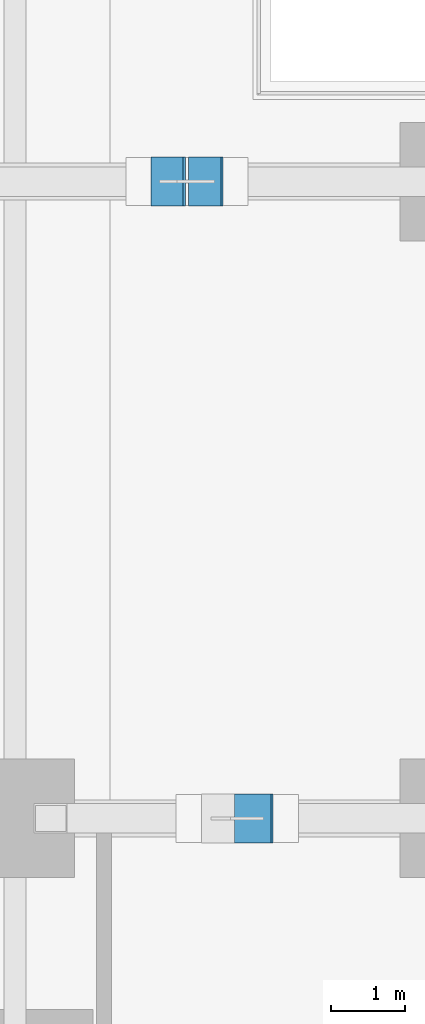
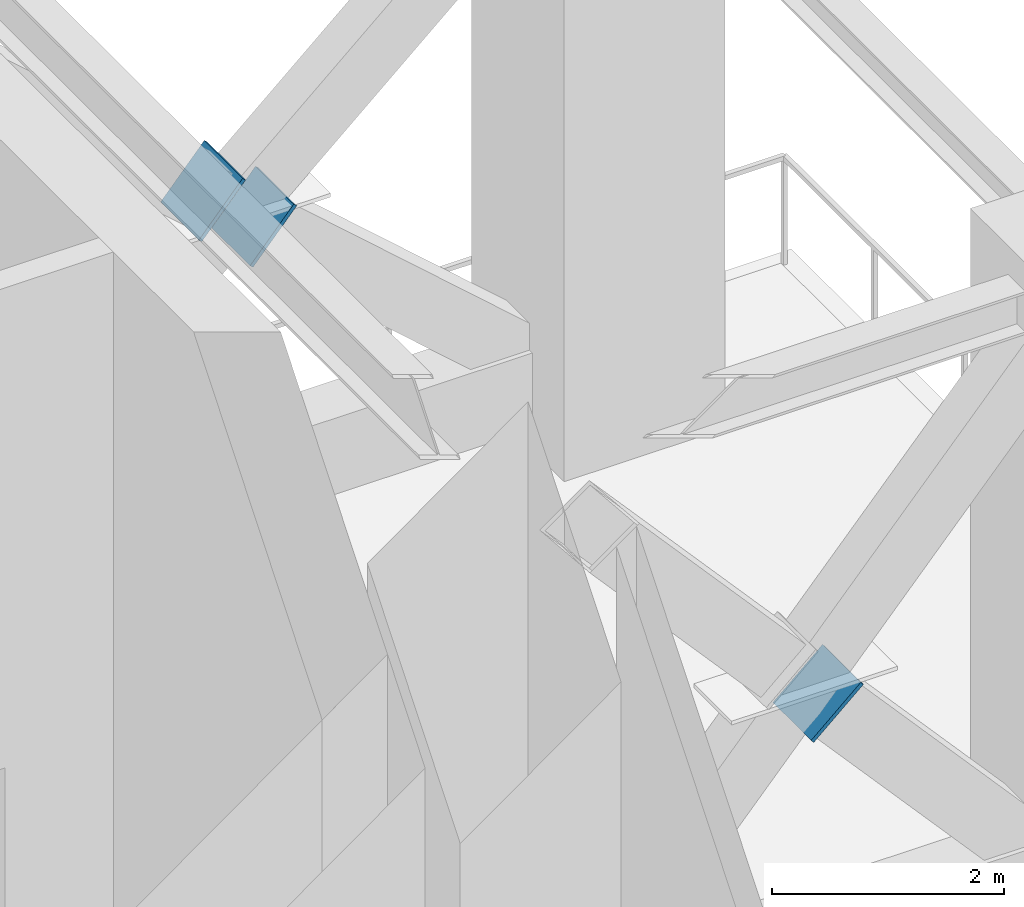
# One storey, part 5 of 9: 3 discrete accessories.
"""IFC4 building model written with IfcOpenShell, lengths in metres."""

import ifcopenshell
import ifcopenshell.guid

model = None  # the IFC model being written
_history = None  # IfcOwnerHistory: only IFC2X3 demands one
_inside = {}  # id of a spatial element -> (the spatial element, [elements in it])
_under = {}  # id of a project, library or spatial element -> (it, [spatial elements below it])
_declared = {}  # id of a project -> (the project, [libraries it declares])
_typed = {}  # id of a type object -> (the type object, [elements of that type])
_made_of = {}  # id of a material, layer set ... -> (it, [elements and type objects made of it])


def new_model(schema):
    """Start an empty IFC model of exactly this schema.

    Asked for "IFC4X3", IfcOpenShell would pick the latest addendum, in which some entities
    have other attributes; the version numbers below select the first issue.
    IFC2X3 requires an IfcOwnerHistory on every rooted entity: one is made here for all.
    """
    global model, _history
    if schema == "IFC4X3":
        model = ifcopenshell.file(schema_version=(4, 3, 0, 0))
    else:
        model = ifcopenshell.file(schema=schema)
    _inside.clear()
    _under.clear()
    _declared.clear()
    _typed.clear()
    _made_of.clear()
    _history = None
    if model.schema == "IFC2X3":
        org = make("IfcOrganization", Name="unknown")
        user = make(
            "IfcPersonAndOrganization",
            ThePerson=make("IfcPerson", FamilyName="unknown"),
            TheOrganization=org,
        )
        app = make(
            "IfcApplication",
            ApplicationDeveloper=org,
            Version="unknown",
            ApplicationFullName="unknown",
            ApplicationIdentifier="unknown",
        )
        _history = make(
            "IfcOwnerHistory",
            OwningUser=user,
            OwningApplication=app,
            ChangeAction="ADDED",
            CreationDate=0,
        )
    return model


def make(cls, **values):
    """One entity of the class cls with the attributes given. An attribute that is None is left unset."""
    return model.create_entity(
        cls, **{name: value for name, value in values.items() if value is not None}
    )


def rooted(cls, **values):
    """An entity with a GlobalId (a new one), such as an element, a storey or a relation."""
    return make(cls, GlobalId=ifcopenshell.guid.new(), OwnerHistory=_history, **values)


def si_unit(unit_type, name, prefix=None):
    """IfcSIUnit, for example si_unit("LENGTHUNIT", "METRE", prefix="MILLI")."""
    return make("IfcSIUnit", UnitType=unit_type, Prefix=prefix, Name=name)


def assignment(units):
    """IfcUnitAssignment: the units of a project."""
    return None if units is None else make("IfcUnitAssignment", Units=units)


def point(xyz):
    """IfcCartesianPoint."""
    return None if xyz is None else make("IfcCartesianPoint", Coordinates=xyz)


def direction(xyz):
    """IfcDirection."""
    return None if xyz is None else make("IfcDirection", DirectionRatios=xyz)


def frame(location, z_axis=None, x_axis=None):
    """IfcAxis2Placement3D, a coordinate frame: its origin and axes. An axis left out is left unset."""
    return make(
        "IfcAxis2Placement3D",
        Location=point(location),
        Axis=direction(z_axis),
        RefDirection=direction(x_axis),
    )


def frame_2d(location, x_axis=None):
    """IfcAxis2Placement2D, a coordinate frame in the plane: its origin and x axis."""
    return make(
        "IfcAxis2Placement2D", Location=point(location), RefDirection=direction(x_axis)
    )


def origin():
    """The frame at (0, 0, 0) with its axes left unset."""
    return frame((0.0, 0.0, 0.0))


def origin_2d():
    """The frame at (0, 0) in the plane with its x axis left unset."""
    return frame_2d((0.0, 0.0))


def place(relative_to, where):
    """IfcLocalPlacement: puts the frame where relative to a parent placement (None: the world)."""
    return make(
        "IfcLocalPlacement", PlacementRelTo=relative_to, RelativePlacement=where
    )


def context(
    kind, dimensions, precision=None, world=None, true_north=None, identifier=None
):
    """IfcGeometricRepresentationContext, for example the 3D "Model" context."""
    return make(
        "IfcGeometricRepresentationContext",
        ContextIdentifier=identifier,
        ContextType=kind,
        CoordinateSpaceDimension=dimensions,
        Precision=precision,
        WorldCoordinateSystem=world,
        TrueNorth=true_north,
    )


def subcontext(parent, identifier, kind, view, scale=None):
    """IfcGeometricRepresentationSubContext, for example "Body" below "Model"."""
    return make(
        "IfcGeometricRepresentationSubContext",
        ContextIdentifier=identifier,
        ContextType=kind,
        ParentContext=parent,
        TargetScale=scale,
        TargetView=view,
    )


def project(units=None, contexts=None):
    """IfcProject with its units and contexts."""
    return rooted(
        "IfcProject",
        Name="project",
        RepresentationContexts=contexts,
        UnitsInContext=assignment(units),
    )


def spatial(cls, under=None, at=None, **own):
    """A site, building, storey or space (cls), placed at a placement, below another one or the project."""
    s = rooted(cls, ObjectPlacement=at, **own)
    if under is not None:
        _under.setdefault(under.id(), (under, []))[1].append(s)
    return s


def profile(cls, at=None, kind="AREA", **sizes):
    """A parametric profile (cls). Its sizes go by their IFC names, for example OverallWidth=200.0."""
    return make(cls, ProfileType=kind, Position=at, **sizes)


def rectangle(**sizes):
    """IfcRectangleProfileDef."""
    return profile("IfcRectangleProfileDef", **sizes)


def extrude(swept, where, along, depth):
    """IfcExtrudedAreaSolid: the profile swept, set in the frame where, extruded along a direction by depth."""
    return make(
        "IfcExtrudedAreaSolid",
        SweptArea=swept,
        Position=where,
        ExtrudedDirection=direction(along),
        Depth=depth,
    )


def shape(context_of_items, identifier, shape_type, items):
    """IfcShapeRepresentation: the items that make up one representation, for example the "Body"."""
    return make(
        "IfcShapeRepresentation",
        ContextOfItems=context_of_items,
        RepresentationIdentifier=identifier,
        RepresentationType=shape_type,
        Items=items,
    )


def source(mapping_origin, context_of_items, identifier, shape_type, items):
    """IfcRepresentationMap: a shape defined once, which mapped items show again and again."""
    return make(
        "IfcRepresentationMap",
        MappingOrigin=mapping_origin,
        MappedRepresentation=shape(context_of_items, identifier, shape_type, items),
    )


def transform(
    local_origin,
    x_axis=None,
    y_axis=None,
    z_axis=None,
    scale=None,
    scale2=None,
    scale3=None,
    uniform=True,
):
    """IfcCartesianTransformationOperator3D, or its non-uniform kind. x_axis, y_axis, z_axis: its Axis1, 2, 3."""
    if uniform:
        return make(
            "IfcCartesianTransformationOperator3D",
            Axis1=direction(x_axis),
            Axis2=direction(y_axis),
            LocalOrigin=point(local_origin),
            Scale=scale,
            Axis3=direction(z_axis),
        )
    return make(
        "IfcCartesianTransformationOperator3DnonUniform",
        Axis1=direction(x_axis),
        Axis2=direction(y_axis),
        LocalOrigin=point(local_origin),
        Scale=scale,
        Axis3=direction(z_axis),
        Scale2=scale2,
        Scale3=scale3,
    )


def mapped(mapping_source, mapping_target):
    """IfcMappedItem: shows the shape of a source again, moved by a transform."""
    return make(
        "IfcMappedItem", MappingSource=mapping_source, MappingTarget=mapping_target
    )


def material(Name=None, Category=None):
    """IfcMaterial."""
    return make("IfcMaterial", Name=Name, Category=Category)


def layer(
    of_material, thickness, ventilated=None, Name=None, Category=None, Priority=None
):
    """IfcMaterialLayer: one layer of a wall or slab, of a material (None: an air gap)."""
    return make(
        "IfcMaterialLayer",
        Material=of_material,
        LayerThickness=thickness,
        IsVentilated=ventilated,
        Name=Name,
        Category=Category,
        Priority=Priority,
    )


def layer_set(layers, Name=None):
    """IfcMaterialLayerSet."""
    return make("IfcMaterialLayerSet", MaterialLayers=layers, LayerSetName=Name)


def made_of(thing, what):
    """Note that an element or type object is made of a material, layer set ...; save() writes the relation."""
    if what is not None:
        _made_of.setdefault(what.id(), (what, []))[1].append(thing)
    return thing


def type_object(cls, material=None, **own):
    """A type object (cls), such as IfcWallType, which elements share."""
    return made_of(rooted(cls, **own), material)


def element(
    cls,
    number,
    at=None,
    inside=None,
    cuts=None,
    type_object=None,
    material=None,
    context=None,
    identifier="Body",
    shape_type=None,
    held_by="IfcProductDefinitionShape",
    body=None,
    shapes=None,
    **own,
):
    """One element of the class cls, such as IfcWall. Its Tag is "e" and its number.

    at: its placement. inside: the storey or other place that contains it. cuts: it is an
    opening in that element (IfcRelVoidsElement). A single representation is given by context,
    identifier, shape_type and body (its items); several are given by shapes. held_by: the class
    of the entity that holds the representations. save() writes the other relations.
    """
    e = rooted(cls, Tag="e%d" % number, ObjectPlacement=at, **own)
    if body is not None:
        shapes = [shape(context, identifier, shape_type, body)]
    if shapes is not None:
        e.Representation = make(held_by, Representations=shapes)
    if inside is not None:
        _inside.setdefault(inside.id(), (inside, []))[1].append(e)
    if cuts is not None:
        rooted(
            "IfcRelVoidsElement", RelatingBuildingElement=cuts, RelatedOpeningElement=e
        )
    if type_object is not None:
        _typed.setdefault(type_object.id(), (type_object, []))[1].append(e)
    return made_of(e, material)


def aggregate(whole, parts):
    """IfcRelAggregates: a whole, such as a stair, and the parts it consists of."""
    return rooted("IfcRelAggregates", RelatingObject=whole, RelatedObjects=parts)


def save(model, path):
    """Write the relations noted so far, then the file.

    IfcRelAggregates (storeys below a building ...), IfcRelContainedInSpatialStructure (elements
    in a storey), IfcRelDefinesByType, IfcRelAssociatesMaterial and IfcRelDeclares: one each for
    every whole, place, type object, material and project.
    """
    for whole, parts in _under.values():
        aggregate(whole, parts)
    for where, things in _inside.values():
        rooted(
            "IfcRelContainedInSpatialStructure",
            RelatedElements=things,
            RelatingStructure=where,
        )
    for kind, things in _typed.values():
        rooted("IfcRelDefinesByType", RelatedObjects=things, RelatingType=kind)
    for what, things in _made_of.values():
        rooted("IfcRelAssociatesMaterial", RelatedObjects=things, RelatingMaterial=what)
    for by, libraries in _declared.values():
        rooted("IfcRelDeclares", RelatingContext=by, RelatedDefinitions=libraries)
    model.write(path)


model = new_model("IFC4")

# Units and contexts
model_context = context("Model", 3, precision=1e-05, world=origin(), true_north=direction((0.0, 1.0)))
body_context = subcontext(model_context, "Body", "Model", "MODEL_VIEW")
ifc_project = project(units=[si_unit("LENGTHUNIT", "METRE"), si_unit("AREAUNIT", "SQUARE_METRE"), si_unit("VOLUMEUNIT", "CUBIC_METRE"), si_unit("PLANEANGLEUNIT", "RADIAN"), si_unit("MASSUNIT", "GRAM", prefix="KILO")], contexts=[model_context])

# Site, building, storey
site_placement = place(None, origin())
site = spatial("IfcSite", under=ifc_project, at=site_placement, CompositionType="ELEMENT")
building_placement = place(site_placement, origin())
building = spatial("IfcBuilding", under=site, at=building_placement, Name="Sumidabori Civic Tower", CompositionType="ELEMENT")
storey_placement = place(building_placement, frame((0.0, 0.0, 124.39990234375)))
storey = spatial("IfcBuildingStorey", under=building, at=storey_placement, Name="L32", CompositionType="ELEMENT", Elevation=124.39990234375)

# Discrete accessories
ifc_material = material(Name="Steel SN490", Category="steel")
ifc_layer = layer(ifc_material, 0.028076171875, Name="Steel SN490")
ifc_layer_set = layer_set([ifc_layer], Name="Steel SN490")
discrete_accessory_type = type_object("IfcDiscreteAccessoryType", Name="AC-CAP-SN490", PredefinedType="USERDEFINED", material=ifc_layer_set)
shared_shape = source(origin(), body_context, "Body", "SweptSolid", [
    extrude(rectangle(XDim=0.659912109375, YDim=0.659912109375, at=origin_2d()), origin(), (0.0, 0.0, 1.0), 0.0400390625),
])
for number, where, z_axis, x_axis, name in (
    (1, (20.037109375, 10.199951171875, 3.259033203125), (-0.663230066188, 0.0, 0.748415579277), (0.0, -1.0, 0.0), "Hollow Section End Cap Plate XND-OT-E1 Upper"),
    (2, (18.85302734375, 18.800048828125, 3.76318359375), (0.751440225051, 0.0, -0.659801173215), (0.0, 1.0, 0.0), "Hollow Section End Cap Plate XND-OT-E2 Lower"),
    (3, (19.39208984375, 18.800048828125, 3.287109375), (-0.751440225051, 0.0, 0.659801173215), (0.0, -1.0, 0.0), "Hollow Section End Cap Plate XND-OT-E2 Upper"),
):
    element("IfcDiscreteAccessory", number, at=place(storey_placement, frame(where, z_axis=z_axis, x_axis=x_axis)), inside=storey, type_object=discrete_accessory_type, Name=name, ObjectType="End Cap Plate", PredefinedType="USERDEFINED", context=body_context, shape_type="MappedRepresentation", body=[
        mapped(shared_shape, transform((0.0, 0.0, 0.0), x_axis=(1.0, 0.0, 0.0), y_axis=(0.0, 1.0, 0.0), z_axis=(0.0, 0.0, 1.0), scale=1.0)),
    ])

save(model, "model.ifc")
